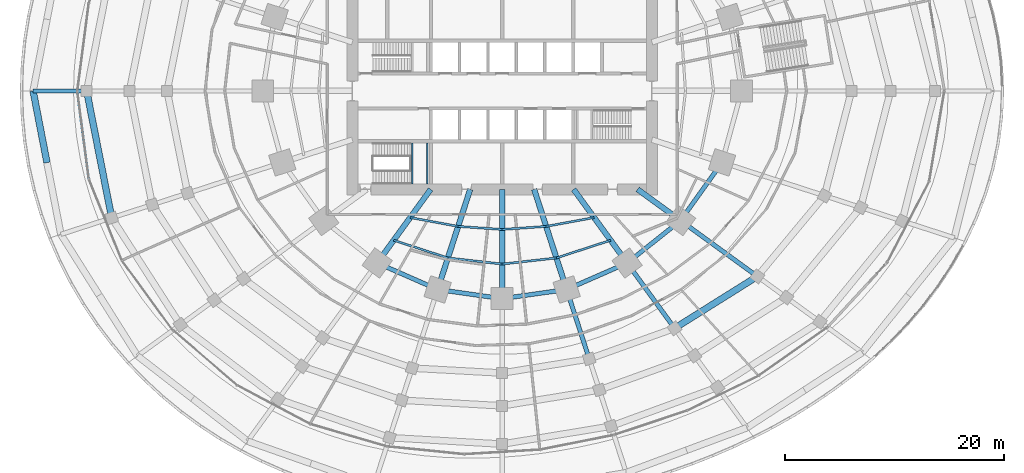
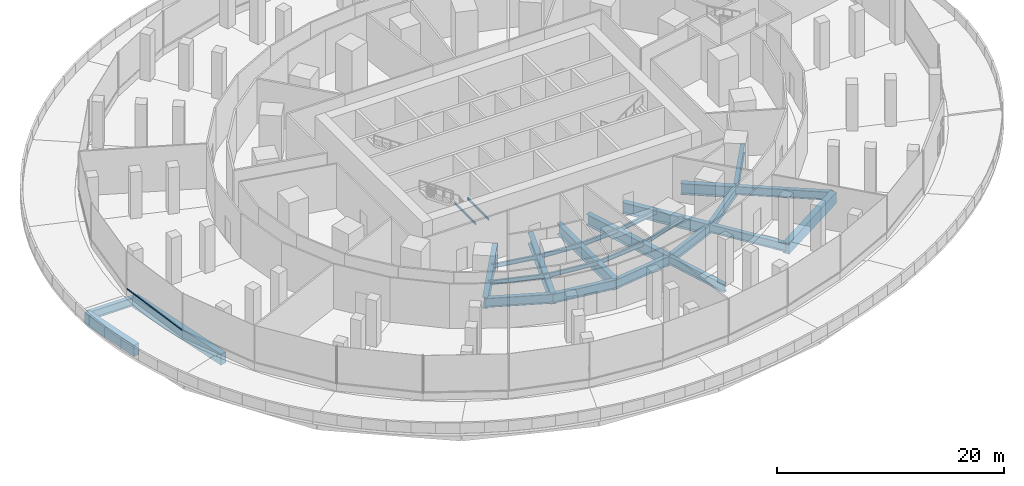
# One storey, part 7 of 31: 29 beams, 1 member, 1 element without a shape of its own.
"""IFC4 building model written with IfcOpenShell, lengths in metres."""

from ifc_helpers import new_model, si_unit, direction, frame, origin, origin_2d, place, context, subcontext, project, spatial, rectangle, i_section, extrude, material, material_profile, profile_set, type_object, element, aggregate, save


model = new_model("IFC4")

# Units and contexts
model_context = context("Model", 3, precision=1e-05, world=origin(), true_north=direction((0.0, 1.0)))
body_context = subcontext(model_context, "Body", "Model", "MODEL_VIEW")
ifc_project = project(units=[si_unit("LENGTHUNIT", "METRE"), si_unit("AREAUNIT", "SQUARE_METRE"), si_unit("VOLUMEUNIT", "CUBIC_METRE"), si_unit("PLANEANGLEUNIT", "RADIAN"), si_unit("MASSUNIT", "GRAM", prefix="KILO")], contexts=[model_context])

# Site, building, storey
site_placement = place(None, origin())
site = spatial("IfcSite", under=ifc_project, at=site_placement, CompositionType="ELEMENT")
building_placement = place(site_placement, origin())
building = spatial("IfcBuilding", under=site, at=building_placement, Name="Marramba Exchange Tower", CompositionType="ELEMENT")
storey_placement = place(building_placement, frame((0.0, 0.0, 5.60009765625)))
storey = spatial("IfcBuildingStorey", under=building, at=storey_placement, Name="L01", CompositionType="ELEMENT", Elevation=5.60009765625)

# Beams
ifc_material_1 = material(Name="Concrete N50", Category="concrete")
ifc_material_profile_1 = material_profile(ifc_material_1, rectangle(XDim=0.60009765625, YDim=1.199951171875, at=origin_2d()), Name="RC 600x1200")
ifc_profile_set_1 = profile_set([ifc_material_profile_1], Name="Concrete N50")
beam_type_1 = type_object("IfcBeamType", Name="Edge beam RC 600x1200 N50", PredefinedType="SPANDREL", material=ifc_profile_set_1)
beam_1_placement = place(storey_placement, frame((-42.89990234375, 0.0, -0.85009765625), z_axis=(0.189898017432, -0.981803821023, 0.0), x_axis=(0.981803821023, 0.189898017432, 0.0)))
element("IfcBeam", 1, at=beam_1_placement, inside=storey, type_object=beam_type_1, Name="Edge beam L01 P0C11 half 1", PredefinedType="SPANDREL", context=body_context, shape_type="SweptSolid", body=[
    extrude(rectangle(XDim=0.60009765625, YDim=1.199951171875, at=origin_2d()), origin(), (0.0, 0.0, 1.0), 6.678955078125),
])
beam_2_placement = place(storey_placement, frame((-38.0, 0.0, -0.800048828125), z_axis=(0.19344375153, -0.981111367274, 0.0), x_axis=(0.981111367274, 0.19344375153, 0.0)))
element("IfcBeam", 2, at=beam_2_placement, inside=storey, type_object=beam_type_1, Name="Edge beam L01 P1C11", PredefinedType="SPANDREL", context=body_context, shape_type="SweptSolid", body=[
    extrude(rectangle(XDim=0.60009765625, YDim=1.199951171875, at=origin_2d()), origin(), (0.0, 0.0, 1.0), 11.826904296875),
])
beam_3_placement = place(storey_placement, frame((15.769775390625, -21.705078125, -0.800048828125), z_axis=(0.847342315291, 0.531047079567, 0.0), x_axis=(-0.531047079567, 0.847342315291, 0.0)))
element("IfcBeam", 3, at=beam_3_placement, inside=storey, type_object=beam_type_1, Name="Edge beam L01 P3C18", PredefinedType="SPANDREL", context=body_context, shape_type="SweptSolid", body=[
    extrude(rectangle(XDim=0.60009765625, YDim=1.199951171875, at=origin_2d()), origin(), (0.0, 0.0, 1.0), 8.936767578125),
])
ifc_material_2 = material(Name="Steel AS/NZS 3679.1 grade 300", Category="steel")
ifc_material_profile_2 = material_profile(ifc_material_2, i_section(OverallWidth=0.18994140625, OverallDepth=0.4541015625, WebThickness=0.008544921875, FlangeThickness=0.0126953125, FilletRadius=0.011474609375, at=origin_2d()), Name="460UB67.1")
ifc_profile_set_2 = profile_set([ifc_material_profile_2], Name="Steel AS/NZS 3679.1 grade 300")
beam_type_2 = type_object("IfcBeamType", Name="Floor joist 460UB67.1", PredefinedType="JOIST", material=ifc_profile_set_2)
beam_4_placement = place(storey_placement, frame((-8.41162109375, -11.57763671875, -0.427001953125), z_axis=(0.983455754421, -0.181148500119, 0.0), x_axis=(0.181148500119, 0.983455754421, 0.0)))
element("IfcBeam", 4, at=beam_4_placement, inside=storey, type_object=beam_type_2, Name="Joist L01 bay 14 row 1", PredefinedType="JOIST", context=body_context, shape_type="SweptSolid", body=[
    extrude(i_section(OverallWidth=0.18994140625, OverallDepth=0.4541015625, WebThickness=0.008544921875, FlangeThickness=0.0126953125, FilletRadius=0.011474609375, at=origin_2d()), origin(), (0.0, 0.0, 1.0), 4.4609375),
])
beam_5_placement = place(storey_placement, frame((-9.9208984375, -13.655029296875, -0.427001953125), z_axis=(0.950764024931, -0.309915744834, 0.0), x_axis=(0.309915744834, 0.950764024931, 0.0)))
element("IfcBeam", 5, at=beam_5_placement, inside=storey, type_object=beam_type_2, Name="Joist L01 bay 14 row 2", PredefinedType="JOIST", context=body_context, shape_type="SweptSolid", body=[
    extrude(i_section(OverallWidth=0.18994140625, OverallDepth=0.4541015625, WebThickness=0.008544921875, FlangeThickness=0.0126953125, FilletRadius=0.011474609375, at=origin_2d()), origin(), (0.0, 0.0, 1.0), 5.2158203125),
])
beam_6_placement = place(storey_placement, frame((-4.0244140625, -12.3857421875, -0.427001953125), z_axis=(0.99759625901, -0.069294328838, 0.0), x_axis=(0.069294328838, 0.99759625901, 0.0)))
element("IfcBeam", 6, at=beam_6_placement, inside=storey, type_object=beam_type_2, Name="Joist L01 bay 15 row 1", PredefinedType="JOIST", context=body_context, shape_type="SweptSolid", body=[
    extrude(i_section(OverallWidth=0.18994140625, OverallDepth=0.4541015625, WebThickness=0.008544921875, FlangeThickness=0.0126953125, FilletRadius=0.011474609375, at=origin_2d()), origin(), (0.0, 0.0, 1.0), 4.0341796875),
])
beam_7_placement = place(storey_placement, frame((-4.9619140625, -15.271484375, -0.427001953125), z_axis=(0.993712018573, -0.111966174106, 0.0), x_axis=(0.111966174106, 0.993712018573, 0.0)))
element("IfcBeam", 7, at=beam_7_placement, inside=storey, type_object=beam_type_2, Name="Joist L01 bay 15 row 2", PredefinedType="JOIST", context=body_context, shape_type="SweptSolid", body=[
    extrude(i_section(OverallWidth=0.18994140625, OverallDepth=0.4541015625, WebThickness=0.008544921875, FlangeThickness=0.0126953125, FilletRadius=0.011474609375, at=origin_2d()), origin(), (0.0, 0.0, 1.0), 4.993408203125),
])
beam_8_placement = place(storey_placement, frame((0.0, -12.665283203125, -0.427001953125), z_axis=(0.99759625901, 0.069294328838, 0.0), x_axis=(-0.069294328838, 0.99759625901, 0.0)))
element("IfcBeam", 8, at=beam_8_placement, inside=storey, type_object=beam_type_2, Name="Joist L01 bay 16 row 1", PredefinedType="JOIST", context=body_context, shape_type="SweptSolid", body=[
    extrude(i_section(OverallWidth=0.18994140625, OverallDepth=0.4541015625, WebThickness=0.008544921875, FlangeThickness=0.0126953125, FilletRadius=0.011474609375, at=origin_2d()), origin(), (0.0, 0.0, 1.0), 4.0341796875),
])
beam_9_placement = place(storey_placement, frame((0.0, -15.83056640625, -0.427001953125), z_axis=(0.993712018573, 0.111966174106, 0.0), x_axis=(-0.111966174106, 0.993712018573, 0.0)))
element("IfcBeam", 9, at=beam_9_placement, inside=storey, type_object=beam_type_2, Name="Joist L01 bay 16 row 2", PredefinedType="JOIST", context=body_context, shape_type="SweptSolid", body=[
    extrude(i_section(OverallWidth=0.18994140625, OverallDepth=0.4541015625, WebThickness=0.008544921875, FlangeThickness=0.0126953125, FilletRadius=0.011474609375, at=origin_2d()), origin(), (0.0, 0.0, 1.0), 4.993408203125),
])
beam_10_placement = place(storey_placement, frame((4.0244140625, -12.3857421875, -0.427001953125), z_axis=(0.983455754421, 0.181148500119, 0.0), x_axis=(-0.181148500119, 0.983455754421, 0.0)))
element("IfcBeam", 10, at=beam_10_placement, inside=storey, type_object=beam_type_2, Name="Joist L01 bay 17 row 1", PredefinedType="JOIST", context=body_context, shape_type="SweptSolid", body=[
    extrude(i_section(OverallWidth=0.18994140625, OverallDepth=0.4541015625, WebThickness=0.008544921875, FlangeThickness=0.0126953125, FilletRadius=0.011474609375, at=origin_2d()), origin(), (0.0, 0.0, 1.0), 4.4609375),
])
beam_11_placement = place(storey_placement, frame((4.9619140625, -15.271484375, -0.427001953125), z_axis=(0.950764024931, 0.309915744834, 0.0), x_axis=(-0.309915744834, 0.950764024931, 0.0)))
element("IfcBeam", 11, at=beam_11_placement, inside=storey, type_object=beam_type_2, Name="Joist L01 bay 17 row 2", PredefinedType="JOIST", context=body_context, shape_type="SweptSolid", body=[
    extrude(i_section(OverallWidth=0.18994140625, OverallDepth=0.4541015625, WebThickness=0.008544921875, FlangeThickness=0.0126953125, FilletRadius=0.011474609375, at=origin_2d()), origin(), (0.0, 0.0, 1.0), 5.2158203125),
])

# Curtain wall, member
ifc_material_3 = material(Name="Aluminium framing, bronze anodised", Category="aluminium")
curtain_wall_type = type_object("IfcCurtainWallType", Name="Podium ribbon curtain wall", PredefinedType="USERDEFINED", material=ifc_material_3)
curtain_wall_placement = place(storey_placement, origin())
curtain_wall = element("IfcCurtainWall", 12, at=curtain_wall_placement, inside=storey, type_object=curtain_wall_type, Name="Curtain wall CW2 L01 F16-F20", ObjectType="RIBBON CURTAIN WALL", PredefinedType="USERDEFINED")
ifc_material_4 = material(Name="Aluminium transom, bronze anodised", Category="aluminium")
ifc_material_profile_3 = material_profile(ifc_material_4, rectangle(XDim=0.06005859375, YDim=0.1201171875, at=origin_2d()), Name="CW2 transom 60x120")
ifc_profile_set_3 = profile_set([ifc_material_profile_3], Name="Aluminium transom, bronze anodised")
member_type = type_object("IfcMemberType", Name="Podium ribbon curtain wall transom", PredefinedType="USERDEFINED", material=ifc_profile_set_3)
member_placement = place(storey_placement, frame((-38.84228515625, -0.0595703125, 0.829833984375), z_axis=(0.129461164566, -0.991584493056, 0.0), x_axis=(0.991584493056, 0.129461164566, 0.0)))
member = element("IfcMember", 13, at=member_placement, type_object=member_type, Name="CW2 sill transom", ObjectType="TRANSOM", PredefinedType="USERDEFINED", context=body_context, shape_type="SweptSolid", body=[
    extrude(rectangle(XDim=0.06005859375, YDim=0.1201171875, at=origin_2d()), origin(), (0.0, 0.0, 1.0), 8.04296875),
])
aggregate(curtain_wall, [member])

# Beams
ifc_material_5 = material(Name="Steel AS/NZS 3679.2 grade 300", Category="steel")
ifc_material_profile_4 = material_profile(ifc_material_5, i_section(OverallWidth=0.5, OverallDepth=1.199951171875, WebThickness=0.01611328125, FlangeThickness=0.0400390625, at=origin_2d()), Name="1200WB455")
ifc_profile_set_4 = profile_set([ifc_material_profile_4], Name="Steel AS/NZS 3679.2 grade 300")
beam_type_3 = type_object("IfcBeamType", Name="Radial girder 1200WB455", PredefinedType="BEAM", material=ifc_profile_set_4)
beam_12_placement = place(storey_placement, frame((-6.538818359375, -9.0, -0.800048828125), z_axis=(-0.587787877172, -0.809015087282, 0.0), x_axis=(0.809015087282, -0.587787877172, 0.0)))
element("IfcBeam", 14, at=beam_12_placement, inside=storey, type_object=beam_type_3, Name="Radial girder L01 TC14", PredefinedType="BEAM", context=body_context, shape_type="SweptSolid", body=[
    extrude(i_section(OverallWidth=0.5, OverallDepth=1.199951171875, WebThickness=0.01611328125, FlangeThickness=0.0400390625, at=origin_2d()), origin(), (0.0, 0.0, 1.0), 8.322021484375),
])
beam_13_placement = place(storey_placement, frame((-2.92431640625, -9.0, -0.800048828125), z_axis=(-0.309022428985, -0.951054750466, 0.0), x_axis=(0.951054750466, -0.309022428985, 0.0)))
element("IfcBeam", 15, at=beam_13_placement, inside=storey, type_object=beam_type_3, Name="Radial girder L01 TC15", PredefinedType="BEAM", context=body_context, shape_type="SweptSolid", body=[
    extrude(i_section(OverallWidth=0.5, OverallDepth=1.199951171875, WebThickness=0.01611328125, FlangeThickness=0.0400390625, at=origin_2d()), origin(), (0.0, 0.0, 1.0), 9.628173828125),
])
beam_14_placement = place(storey_placement, frame((0.0, -9.0, -0.800048828125), z_axis=(0.0, -1.0, 0.0), x_axis=(1.0, 0.0, 0.0)))
element("IfcBeam", 16, at=beam_14_placement, inside=storey, type_object=beam_type_3, Name="Radial girder L01 TC16", PredefinedType="BEAM", context=body_context, shape_type="SweptSolid", body=[
    extrude(i_section(OverallWidth=0.5, OverallDepth=1.199951171875, WebThickness=0.01611328125, FlangeThickness=0.0400390625, at=origin_2d()), origin(), (0.0, 0.0, 1.0), 9.99609375),
])
beam_15_placement = place(storey_placement, frame((2.92431640625, -9.0, -0.800048828125), z_axis=(0.309022428985, -0.951054750466, 0.0), x_axis=(0.951054750466, 0.309022428985, 0.0)))
element("IfcBeam", 17, at=beam_15_placement, inside=storey, type_object=beam_type_3, Name="Radial girder L01 TC17", PredefinedType="BEAM", context=body_context, shape_type="SweptSolid", body=[
    extrude(i_section(OverallWidth=0.5, OverallDepth=1.199951171875, WebThickness=0.01611328125, FlangeThickness=0.0400390625, at=origin_2d()), origin(), (0.0, 0.0, 1.0), 9.628173828125),
])
beam_16_placement = place(storey_placement, frame((6.538818359375, -9.0, -0.800048828125), z_axis=(0.587787877172, -0.809015087282, 0.0), x_axis=(0.809015087282, 0.587787877172, 0.0)))
element("IfcBeam", 18, at=beam_16_placement, inside=storey, type_object=beam_type_3, Name="Radial girder L01 TC18", PredefinedType="BEAM", context=body_context, shape_type="SweptSolid", body=[
    extrude(i_section(OverallWidth=0.5, OverallDepth=1.199951171875, WebThickness=0.01611328125, FlangeThickness=0.0400390625, at=origin_2d()), origin(), (0.0, 0.0, 1.0), 8.322021484375),
])
beam_17_placement = place(storey_placement, frame((12.387451171875, -9.0, -0.800048828125), z_axis=(0.809025189606, -0.58777397236, 0.0), x_axis=(0.58777397236, 0.809025189606, 0.0)))
element("IfcBeam", 19, at=beam_17_placement, inside=storey, type_object=beam_type_3, Name="Radial girder L01 TC19", PredefinedType="BEAM", context=body_context, shape_type="SweptSolid", body=[
    extrude(i_section(OverallWidth=0.5, OverallDepth=1.199951171875, WebThickness=0.01611328125, FlangeThickness=0.0400390625, at=origin_2d()), origin(), (0.0, 0.0, 1.0), 4.855224609375),
])
ifc_material_profile_5 = material_profile(ifc_material_5, i_section(OverallWidth=0.39990234375, OverallDepth=0.89990234375, WebThickness=0.01611328125, FlangeThickness=0.031982421875, at=origin_2d()), Name="900WB282")
ifc_profile_set_5 = profile_set([ifc_material_profile_5], Name="Steel AS/NZS 3679.2 grade 300")
beam_type_4 = type_object("IfcBeamType", Name="Radial girder 900WB282", PredefinedType="BEAM", material=ifc_profile_set_5)
beam_18_placement = place(storey_placement, frame((-42.89990234375, 0.0, -0.7001953125), z_axis=(1.0, 0.0, 0.0), x_axis=(0.0, 1.0, 0.0)))
element("IfcBeam", 20, at=beam_18_placement, inside=storey, type_object=beam_type_4, Name="Radial girder L01 P0C11", PredefinedType="BEAM", context=body_context, shape_type="SweptSolid", body=[
    extrude(i_section(OverallWidth=0.39990234375, OverallDepth=0.89990234375, WebThickness=0.01611328125, FlangeThickness=0.031982421875, at=origin_2d()), origin(), (0.0, 0.0, 1.0), 4.89990234375),
])
beam_19_placement = place(storey_placement, frame((7.9619140625, -24.50390625, -0.650146484375), z_axis=(-0.309019067689, 0.951055842632, 0.0), x_axis=(-0.951055842632, -0.309019067689, 0.0)))
element("IfcBeam", 21, at=beam_19_placement, inside=storey, type_object=beam_type_4, Name="Radial girder L01 P3C17", PredefinedType="BEAM", context=body_context, shape_type="SweptSolid", body=[
    extrude(i_section(OverallWidth=0.39990234375, OverallDepth=0.89990234375, WebThickness=0.01611328125, FlangeThickness=0.031982421875, at=origin_2d()), origin(), (0.0, 0.0, 1.0), 6.673583984375),
])
beam_20_placement = place(storey_placement, frame((15.769775390625, -21.705078125, -0.650146484375), z_axis=(-0.587798025762, 0.809007713752, 0.0), x_axis=(-0.809007713752, -0.587798025762, 0.0)))
element("IfcBeam", 22, at=beam_20_placement, inside=storey, type_object=beam_type_4, Name="Radial girder L01 P3C18", PredefinedType="BEAM", context=body_context, shape_type="SweptSolid", body=[
    extrude(i_section(OverallWidth=0.39990234375, OverallDepth=0.89990234375, WebThickness=0.01611328125, FlangeThickness=0.031982421875, at=origin_2d()), origin(), (0.0, 0.0, 1.0), 7.38232421875),
])
beam_21_placement = place(storey_placement, frame((23.34228515625, -16.959228515625, -0.650146484375), z_axis=(-0.809008266699, 0.587797264721, 0.0), x_axis=(-0.587797264721, -0.809008266699, 0.0)))
element("IfcBeam", 23, at=beam_21_placement, inside=storey, type_object=beam_type_4, Name="Radial girder L01 P3C19", PredefinedType="BEAM", context=body_context, shape_type="SweptSolid", body=[
    extrude(i_section(OverallWidth=0.39990234375, OverallDepth=0.89990234375, WebThickness=0.01611328125, FlangeThickness=0.031982421875, at=origin_2d()), origin(), (0.0, 0.0, 1.0), 8.685791015625),
])
ifc_material_profile_6 = material_profile(ifc_material_5, i_section(OverallWidth=0.39990234375, OverallDepth=1.0, WebThickness=0.01611328125, FlangeThickness=0.031982421875, at=origin_2d()), Name="1000WB322")
ifc_profile_set_6 = profile_set([ifc_material_profile_6], Name="Steel AS/NZS 3679.2 grade 300")
beam_type_5 = type_object("IfcBeamType", Name="Ring beam 1000WB322", PredefinedType="SPANDREL", material=ifc_profile_set_6)
beam_22_placement = place(storey_placement, frame((-11.430419921875, -15.732666015625, -0.7001953125), z_axis=(0.915876892158, -0.4014592363, 0.0), x_axis=(0.4014592363, 0.915876892158, 0.0)))
element("IfcBeam", 24, at=beam_22_placement, inside=storey, type_object=beam_type_5, Name="Ring beam L01 TC14-TC15", PredefinedType="SPANDREL", context=body_context, shape_type="SweptSolid", body=[
    extrude(i_section(OverallWidth=0.39990234375, OverallDepth=1.0, WebThickness=0.01611328125, FlangeThickness=0.031982421875, at=origin_2d()), origin(), (0.0, 0.0, 1.0), 6.038818359375),
])
for number, where, z_axis, x_axis, name in (
    (25, (-5.899658203125, -18.156982421875, -0.7001953125), (0.990036163016, -0.140813337152, 0.0), (0.140813337152, 0.990036163016, 0.0), "Ring beam L01 TC15-TC16"),
    (26, (0.0, -18.99609375, -0.7001953125), (0.990036163016, 0.140813337152, 0.0), (-0.140813337152, 0.990036163016, 0.0), "Ring beam L01 TC16-TC17"),
):
    element("IfcBeam", number, at=place(storey_placement, frame(where, z_axis=z_axis, x_axis=x_axis)), inside=storey, type_object=beam_type_5, Name=name, PredefinedType="SPANDREL", context=body_context, shape_type="SweptSolid", body=[
        extrude(i_section(OverallWidth=0.39990234375, OverallDepth=1.0, WebThickness=0.01611328125, FlangeThickness=0.031982421875, at=origin_2d()), origin(), (0.0, 0.0, 1.0), 5.958984375),
    ])
beam_23_placement = place(storey_placement, frame((5.899658203125, -18.156982421875, -0.7001953125), z_axis=(0.915876892158, 0.4014592363, 0.0), x_axis=(-0.4014592363, 0.915876892158, 0.0)))
element("IfcBeam", 27, at=beam_23_placement, inside=storey, type_object=beam_type_5, Name="Ring beam L01 TC17-TC18", PredefinedType="SPANDREL", context=body_context, shape_type="SweptSolid", body=[
    extrude(i_section(OverallWidth=0.39990234375, OverallDepth=1.0, WebThickness=0.01611328125, FlangeThickness=0.031982421875, at=origin_2d()), origin(), (0.0, 0.0, 1.0), 6.038818359375),
])
beam_24_placement = place(storey_placement, frame((11.430419921875, -15.732666015625, -0.7001953125), z_axis=(0.783139438128, 0.621846138887, 0.0), x_axis=(-0.621846138887, 0.783139438128, 0.0)))
element("IfcBeam", 28, at=beam_24_placement, inside=storey, type_object=beam_type_5, Name="Ring beam L01 TC18-TC19", PredefinedType="SPANDREL", context=body_context, shape_type="SweptSolid", body=[
    extrude(i_section(OverallWidth=0.39990234375, OverallDepth=1.0, WebThickness=0.01611328125, FlangeThickness=0.031982421875, at=origin_2d()), origin(), (0.0, 0.0, 1.0), 6.23779296875),
])
beam_25_placement = place(storey_placement, frame((16.3154296875, -11.853759765625, -0.7001953125), z_axis=(0.580637181111, 0.814162430914, 0.0), x_axis=(-0.814162430914, 0.580637181111, 0.0)))
element("IfcBeam", 29, at=beam_25_placement, inside=storey, type_object=beam_type_5, Name="Ring beam L01 TC19-TC20", PredefinedType="SPANDREL", context=body_context, shape_type="SweptSolid", body=[
    extrude(i_section(OverallWidth=0.39990234375, OverallDepth=1.0, WebThickness=0.01611328125, FlangeThickness=0.031982421875, at=origin_2d()), origin(), (0.0, 0.0, 1.0), 6.5341796875),
])
ifc_material_profile_7 = material_profile(ifc_material_2, i_section(OverallWidth=0.133056640625, OverallDepth=0.202880859375, WebThickness=0.005859375, FlangeThickness=0.0078125, FilletRadius=0.0087890625, at=origin_2d()), Name="200UB25.4")
ifc_profile_set_7 = profile_set([ifc_material_profile_7], Name="Steel AS/NZS 3679.1 grade 300")
beam_type_6 = type_object("IfcBeamType", Name="Stair landing beam 200UB25.4", PredefinedType="BEAM", material=ifc_profile_set_7)
for number, where, z_axis, x_axis, name in (
    (30, (-8.20361328125, -8.5, 2.198486328125), (0.0, 1.0, 0.0), (-1.0, 0.0, 0.0), "Stair landing beam SLB1 ST3 L01 1"),
    (31, (-6.866455078125, -8.5, 2.198486328125), (0.0, 1.0, 0.0), (-1.0, 0.0, 0.0), "Stair landing beam SLB1 ST3 L01 2"),
):
    element("IfcBeam", number, at=place(storey_placement, frame(where, z_axis=z_axis, x_axis=x_axis)), inside=storey, type_object=beam_type_6, Name=name, PredefinedType="BEAM", context=body_context, shape_type="SweptSolid", body=[
        extrude(i_section(OverallWidth=0.133056640625, OverallDepth=0.202880859375, WebThickness=0.005859375, FlangeThickness=0.0078125, FilletRadius=0.0087890625, at=origin_2d()), origin(), (0.0, 0.0, 1.0), 3.75),
    ])

save(model, "model.ifc")
